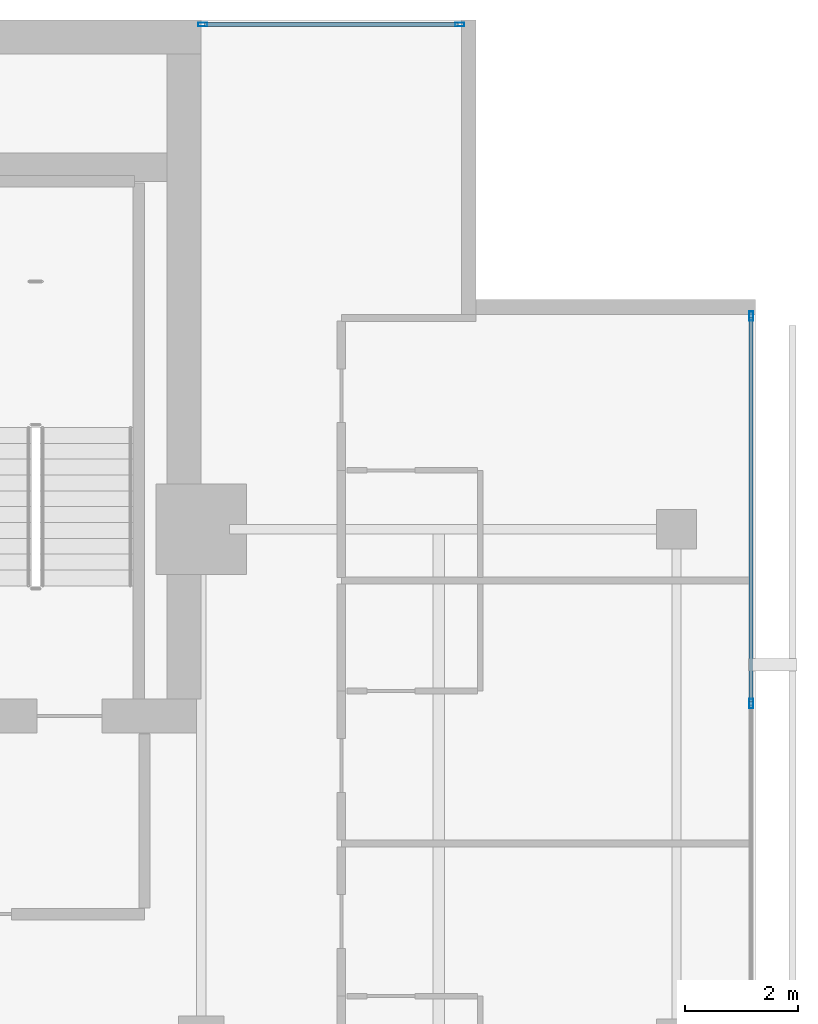
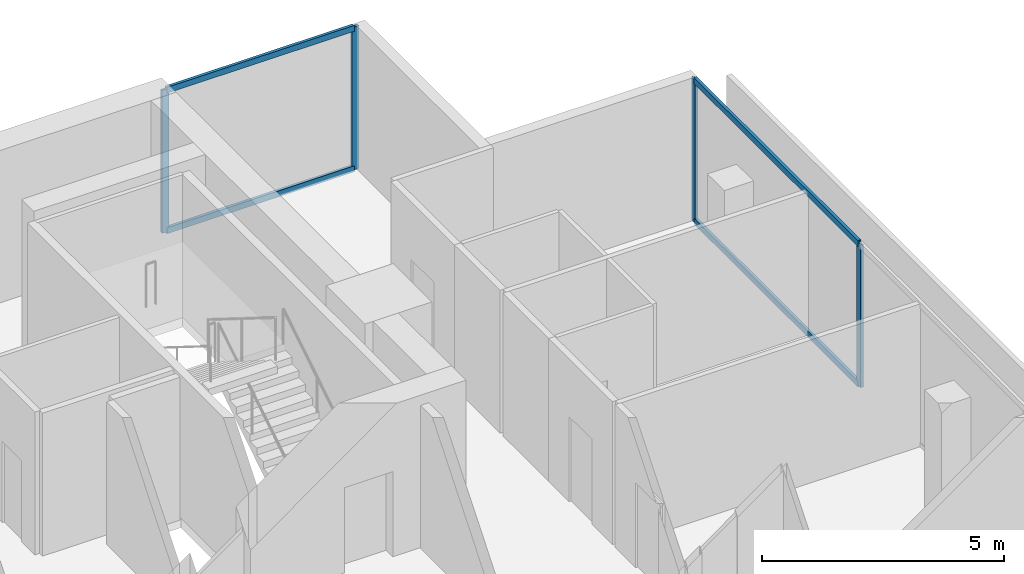
# One storey, part 18 of 26: 8 members, 2 elements without a shape of their own.
"""IFC4 building model written with IfcOpenShell, lengths in metres."""

from ifc_helpers import new_model, si_unit, direction, frame, origin, origin_2d, place, context, subcontext, project, spatial, hollow_rectangle, extrude, material, layer, layer_set, material_profile, profile_set, type_object, element, aggregate, save


model = new_model("IFC4")

# Units and contexts
model_context = context("Model", 3, precision=1e-05, world=origin(), true_north=direction((0.0, 1.0)))
body_context = subcontext(model_context, "Body", "Model", "MODEL_VIEW")
ifc_project = project(units=[si_unit("LENGTHUNIT", "METRE"), si_unit("AREAUNIT", "SQUARE_METRE"), si_unit("VOLUMEUNIT", "CUBIC_METRE"), si_unit("PLANEANGLEUNIT", "RADIAN"), si_unit("MASSUNIT", "GRAM", prefix="KILO")], contexts=[model_context])

# Site, building, storey
site_placement = place(None, origin())
site = spatial("IfcSite", under=ifc_project, at=site_placement, CompositionType="ELEMENT")
building_placement = place(site_placement, origin())
building = spatial("IfcBuilding", under=site, at=building_placement, Name="Maruvema Waterfront Hotel and Observation Tower", CompositionType="ELEMENT")
storey_placement = place(building_placement, frame((0.0, 0.0, 293.300048828125)))
storey = spatial("IfcBuildingStorey", under=building, at=storey_placement, Name="L72", CompositionType="ELEMENT", Elevation=293.300048828125)

# Curtain wall, members
ifc_material_1 = material(Name="Anodised bronze aluminium and solar-control low-E IGU", Category="aluminium")
ifc_layer = layer(ifc_material_1, 0.159912109375, Name="Zone 3 Champagne Inner Thermal Curtain Wall System CW-04")
ifc_layer_set = layer_set([ifc_layer], Name="Anodised bronze aluminium and solar-control low-E IGU")
curtain_wall_type = type_object("IfcCurtainWallType", Name="Zone 3 Champagne Inner Thermal Curtain Wall System CW-04", PredefinedType="USERDEFINED", material=ifc_layer_set)
curtain_wall_1_placement = place(storey_placement, origin())
curtain_wall_1 = element("IfcCurtainWall", 1, at=curtain_wall_1_placement, inside=storey, type_object=curtain_wall_type, Name="L72 Curtain Wall CW-L72-E", ObjectType="UNITISED CURTAIN WALL", PredefinedType="USERDEFINED")
ifc_material_2 = material(Name="Anodised architectural bronze aluminium", Category="aluminium")
ifc_material_profile_1 = material_profile(ifc_material_2, hollow_rectangle(XDim=0.070068359375, YDim=0.14990234375, WallThickness=0.00390625, at=origin_2d()), Name="ALU-T70x150")
ifc_profile_set_1 = profile_set([ifc_material_profile_1], Name="Anodised architectural bronze aluminium")
member_type_1 = type_object("IfcMemberType", Name="Curtain Wall Horizontal Transom ALU-T70x150", PredefinedType="USERDEFINED", material=ifc_profile_set_1)
member_1_placement = place(storey_placement, frame((60.1201171875, 41.949951171875, 0.030029296875), z_axis=(0.0, 1.0, 0.0), x_axis=(-1.0, 0.0, 0.0)))
member_1 = element("IfcMember", 2, at=member_1_placement, type_object=member_type_1, Name="CW-04 transom 5.1", ObjectType="TRANSOM", PredefinedType="USERDEFINED", context=body_context, shape_type="SweptSolid", body=[
    extrude(hollow_rectangle(XDim=0.070068359375, YDim=0.14990234375, WallThickness=0.00390625, at=origin_2d()), origin(), (0.0, 0.0, 1.0), 6.7900390625),
])
member_2_placement = place(storey_placement, frame((60.1201171875, 41.949951171875, 3.579833984375), z_axis=(0.0, 1.0, 0.0), x_axis=(-1.0, 0.0, 0.0)))
member_2 = element("IfcMember", 3, at=member_2_placement, type_object=member_type_1, Name="CW-04 transom 5.2", ObjectType="TRANSOM", PredefinedType="USERDEFINED", context=body_context, shape_type="SweptSolid", body=[
    extrude(hollow_rectangle(XDim=0.070068359375, YDim=0.14990234375, WallThickness=0.00390625, at=origin_2d()), origin(), (0.0, 0.0, 1.0), 6.7900390625),
])

curtain_wall_2_placement = place(storey_placement, origin())
curtain_wall_2 = element("IfcCurtainWall", 4, at=curtain_wall_2_placement, inside=storey, type_object=curtain_wall_type, Name="L72 Curtain Wall CW-L72-NE", ObjectType="UNITISED CURTAIN WALL", PredefinedType="USERDEFINED")
member_3_placement = place(storey_placement, frame((54.93994140625, 53.919921875, 0.030029296875), z_axis=(-1.0, 0.0, 0.0), x_axis=(0.0, -1.0, 0.0)))
member_3 = element("IfcMember", 5, at=member_3_placement, type_object=member_type_1, Name="CW-04 transom 1.1", ObjectType="TRANSOM", PredefinedType="USERDEFINED", context=body_context, shape_type="SweptSolid", body=[
    extrude(hollow_rectangle(XDim=0.070068359375, YDim=0.14990234375, WallThickness=0.00390625, at=origin_2d()), origin(), (0.0, 0.0, 1.0), 4.47998046875),
])
member_4_placement = place(storey_placement, frame((54.93994140625, 53.919921875, 3.579833984375), z_axis=(-1.0, 0.0, 0.0), x_axis=(0.0, -1.0, 0.0)))
member_4 = element("IfcMember", 6, at=member_4_placement, type_object=member_type_1, Name="CW-04 transom 1.2", ObjectType="TRANSOM", PredefinedType="USERDEFINED", context=body_context, shape_type="SweptSolid", body=[
    extrude(hollow_rectangle(XDim=0.070068359375, YDim=0.14990234375, WallThickness=0.00390625, at=origin_2d()), origin(), (0.0, 0.0, 1.0), 4.47998046875),
])

# Member
ifc_material_3 = material(Name="Anodised architectural bronze aluminium", Category="aluminium")
ifc_material_profile_2 = material_profile(ifc_material_3, hollow_rectangle(XDim=0.06494140625, YDim=0.1650390625, WallThickness=0.00390625, at=origin_2d()), Name="ALU-M65x165")
ifc_profile_set_2 = profile_set([ifc_material_profile_2], Name="Anodised architectural bronze aluminium")
member_type_2 = type_object("IfcMemberType", Name="Curtain Wall Primary Mullion ALU-M65x165", PredefinedType="MULLION", material=ifc_profile_set_2)
member_5_placement = place(storey_placement, frame((60.1201171875, 41.919921875, 0.0), z_axis=(0.0, 0.0, 1.0), x_axis=(-1.0, 0.0, 0.0)))
member_5 = element("IfcMember", 7, at=member_5_placement, type_object=member_type_2, Name="CW-04 mullion 5", PredefinedType="MULLION", context=body_context, shape_type="SweptSolid", body=[
    extrude(hollow_rectangle(XDim=0.06494140625, YDim=0.1650390625, WallThickness=0.00390625, at=origin_2d()), origin(), (0.0, 0.0, 1.0), 3.60986328125),
])

member_6_placement = place(storey_placement, frame((60.1201171875, 48.77001953125, 0.0), z_axis=(0.0, 0.0, 1.0), x_axis=(-1.0, 0.0, 0.0)))
member_6 = element("IfcMember", 8, at=member_6_placement, type_object=member_type_2, Name="CW-04 mullion 6", PredefinedType="MULLION", context=body_context, shape_type="SweptSolid", body=[
    extrude(hollow_rectangle(XDim=0.06494140625, YDim=0.1650390625, WallThickness=0.00390625, at=origin_2d()), origin(), (0.0, 0.0, 1.0), 3.60986328125),
])

aggregate(curtain_wall_1, [member_5, member_6, member_1, member_2])

member_7_placement = place(storey_placement, frame((54.969970703125, 53.919921875, 0.0), z_axis=(0.0, 0.0, 1.0), x_axis=(0.0, -1.0, 0.0)))
member_7 = element("IfcMember", 9, at=member_7_placement, type_object=member_type_2, Name="CW-04 mullion 1", PredefinedType="MULLION", context=body_context, shape_type="SweptSolid", body=[
    extrude(hollow_rectangle(XDim=0.06494140625, YDim=0.1650390625, WallThickness=0.00390625, at=origin_2d()), origin(), (0.0, 0.0, 1.0), 3.60986328125),
])

member_8_placement = place(storey_placement, frame((50.429931640625, 53.919921875, 0.0), z_axis=(0.0, 0.0, 1.0), x_axis=(0.0, -1.0, 0.0)))
member_8 = element("IfcMember", 10, at=member_8_placement, type_object=member_type_2, Name="CW-04 mullion 2", PredefinedType="MULLION", context=body_context, shape_type="SweptSolid", body=[
    extrude(hollow_rectangle(XDim=0.06494140625, YDim=0.1650390625, WallThickness=0.00390625, at=origin_2d()), origin(), (0.0, 0.0, 1.0), 3.60986328125),
])

aggregate(curtain_wall_2, [member_7, member_8, member_3, member_4])

save(model, "model.ifc")
